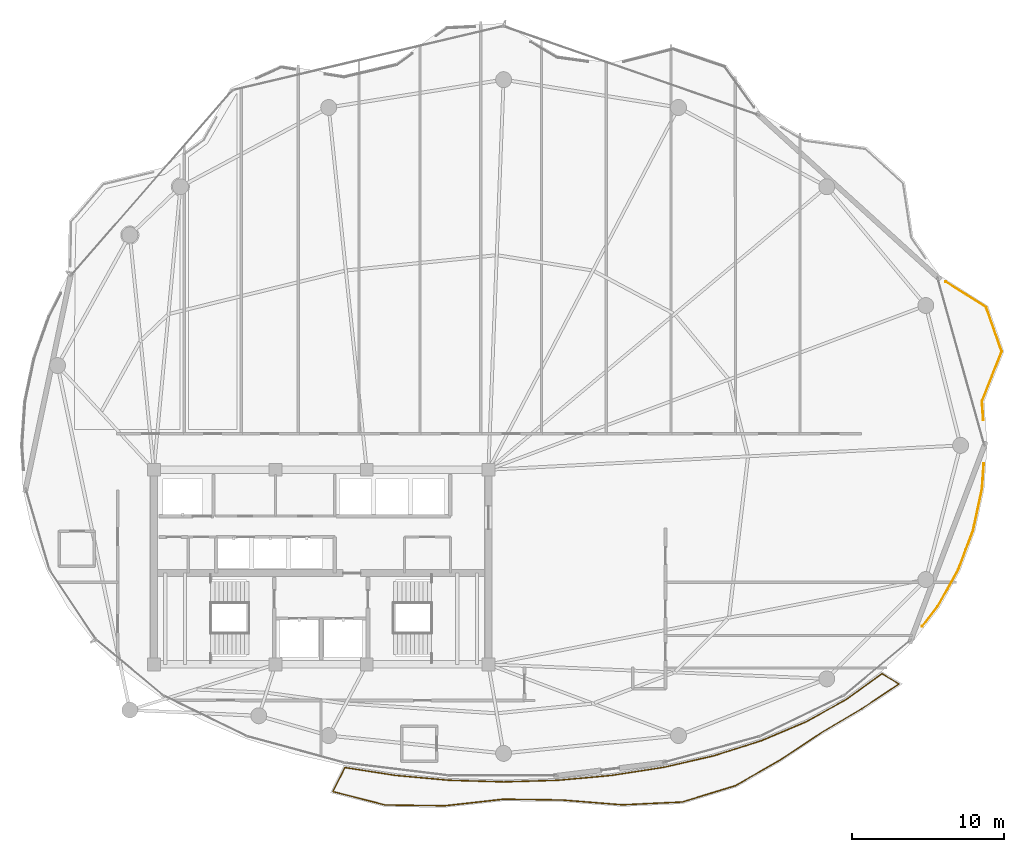
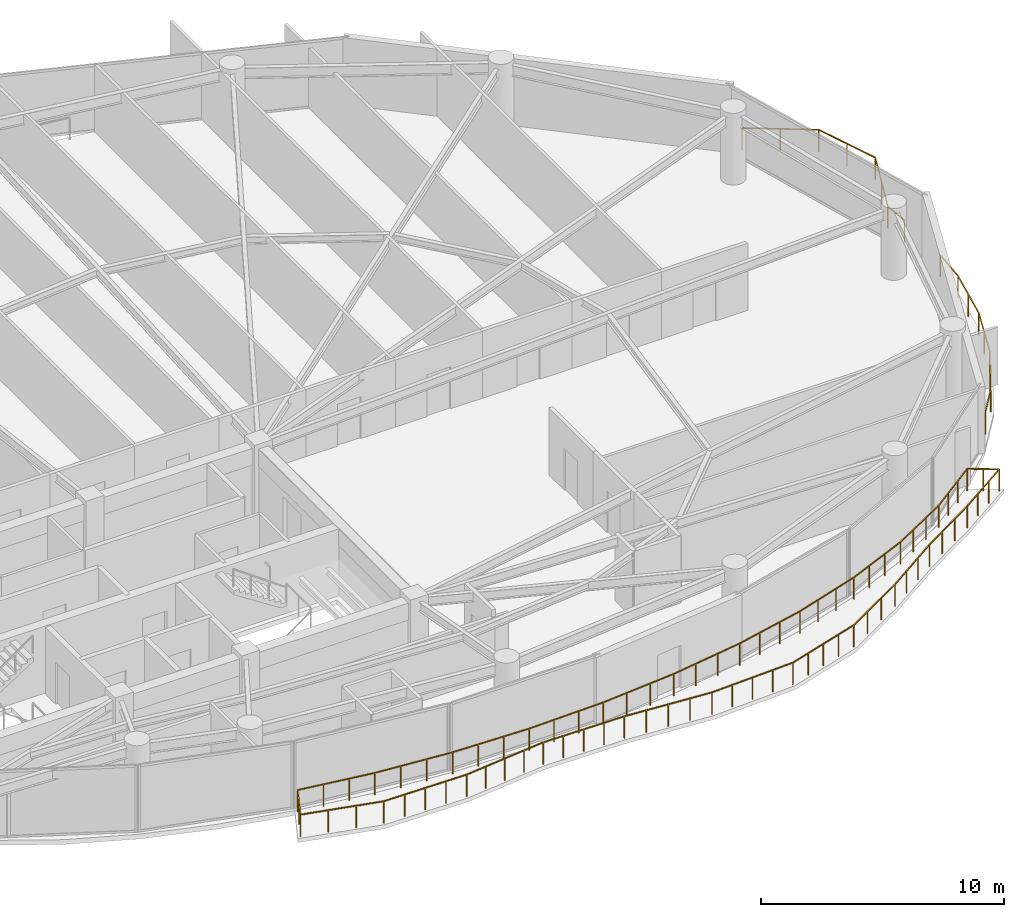
# One storey, part 28 of 29: 3 railings.
"""IFC4 building model written with IfcOpenShell, lengths in metres."""

from ifc_helpers import new_model, si_unit, direction, frame, origin, origin_2d, place, context, subcontext, project, spatial, rectangle, extrude, material, type_object, element, save


model = new_model("IFC4")

# Units and contexts
model_context = context("Model", 3, precision=1e-05, world=origin(), true_north=direction((0.0, 1.0)))
body_context = subcontext(model_context, "Body", "Model", "MODEL_VIEW")
ifc_project = project(units=[si_unit("LENGTHUNIT", "METRE"), si_unit("AREAUNIT", "SQUARE_METRE"), si_unit("VOLUMEUNIT", "CUBIC_METRE"), si_unit("PLANEANGLEUNIT", "RADIAN"), si_unit("MASSUNIT", "GRAM", prefix="KILO")], contexts=[model_context])

# Site, building, storey
site_placement = place(None, origin())
site = spatial("IfcSite", under=ifc_project, at=site_placement, CompositionType="ELEMENT")
building_placement = place(site_placement, origin())
building = spatial("IfcBuilding", under=site, at=building_placement, Name="Kazevale Care Tower and Concert Hall", CompositionType="ELEMENT")
storey_placement = place(building_placement, frame((0.0, 0.0, 195.60009765625)))
storey = spatial("IfcBuildingStorey", under=building, at=storey_placement, Name="L51", CompositionType="ELEMENT", Elevation=195.60009765625)

# Railings
ifc_material = material(Name="Anodised Bronze Aluminium and Laminated Glass", Category="aluminium")
railing_type = type_object("IfcRailingType", Name="Balcony and Terrace Balustrade 1120", PredefinedType="BALUSTRADE", material=ifc_material)
railing_1_placement = place(storey_placement, frame((76.576904296875, 36.81103515625, 0.0)))
element("IfcRailing", 1, at=railing_1_placement, inside=storey, type_object=railing_type, Name="rail:L51:perim:10", PredefinedType="BALUSTRADE", context=body_context, shape_type="SweptSolid", body=[
    extrude(rectangle(XDim=0.048095703125, YDim=0.048095703125, at=origin_2d()), frame((0.0, 0.0, 1.09619140625), z_axis=(-0.069683140934, -0.997569175481, 0.0), x_axis=(0.997569175481, -0.069683140934, 0.0)), (0.0, 0.0, 1.0), 1.664306640625),
    extrude(rectangle(XDim=0.048095703125, YDim=0.048095703125, at=origin_2d()), frame((-0.115966796875, -1.66015625, 1.09619140625), z_axis=(-0.210886672564, -0.97751051725, 0.0), x_axis=(0.97751051725, -0.210886672564, 0.0)), (0.0, 0.0, 1.0), 2.81201171875),
    extrude(rectangle(XDim=0.048095703125, YDim=0.048095703125, at=origin_2d()), frame((-0.708984375, -4.408935546875, 1.09619140625), z_axis=(-0.352914941795, -0.935655408715, 0.0), x_axis=(0.935655408715, -0.352914941795, 0.0)), (0.0, 0.0, 1.0), 2.77685546875),
    extrude(rectangle(XDim=0.048095703125, YDim=0.048095703125, at=origin_2d()), frame((-1.68896484375, -7.007080078125, 1.09619140625), z_axis=(-0.490131162051, -0.871648692987, 0.0), x_axis=(0.871648692987, -0.490131162051, 0.0)), (0.0, 0.0, 1.0), 2.762451171875),
    extrude(rectangle(XDim=0.048095703125, YDim=0.048095703125, at=origin_2d()), frame((-3.04296875, -9.4150390625, 1.09619140625), z_axis=(-0.615507243123, -0.788131228707, 0.0), x_axis=(0.788131228707, -0.615507243123, 0.0)), (0.0, 0.0, 1.0), 1.6279296875),
    extrude(rectangle(XDim=0.0419921875, YDim=0.0419921875, at=origin_2d()), origin(), (0.0, 0.0, 1.0), 1.072021484375),
    extrude(rectangle(XDim=0.0419921875, YDim=0.0419921875, at=origin_2d()), frame((-0.115966796875, -1.66015625, 0.0)), (0.0, 0.0, 1.0), 1.072021484375),
    extrude(rectangle(XDim=0.0419921875, YDim=0.0419921875, at=origin_2d()), frame((-0.41259765625, -3.03466796875, 0.0)), (0.0, 0.0, 1.0), 1.072021484375),
    extrude(rectangle(XDim=0.0419921875, YDim=0.0419921875, at=origin_2d()), frame((-0.708984375, -4.408935546875, 0.0)), (0.0, 0.0, 1.0), 1.072021484375),
    extrude(rectangle(XDim=0.0419921875, YDim=0.0419921875, at=origin_2d()), frame((-1.198974609375, -5.7080078125, 0.0)), (0.0, 0.0, 1.0), 1.072021484375),
    extrude(rectangle(XDim=0.0419921875, YDim=0.0419921875, at=origin_2d()), frame((-1.68896484375, -7.007080078125, 0.0)), (0.0, 0.0, 1.0), 1.072021484375),
    extrude(rectangle(XDim=0.0419921875, YDim=0.0419921875, at=origin_2d()), frame((-2.365966796875, -8.2109375, 0.0)), (0.0, 0.0, 1.0), 1.072021484375),
    extrude(rectangle(XDim=0.0419921875, YDim=0.0419921875, at=origin_2d()), frame((-3.04296875, -9.4150390625, 0.0)), (0.0, 0.0, 1.0), 1.072021484375),
    extrude(rectangle(XDim=0.0419921875, YDim=0.0419921875, at=origin_2d()), frame((-4.044921875, -10.697998046875, 0.0)), (0.0, 0.0, 1.0), 1.072021484375),
])
railing_2_placement = place(storey_placement, frame((74.073974609375, 48.760009765625, 0.0)))
element("IfcRailing", 2, at=railing_2_placement, inside=storey, type_object=railing_type, Name="rail:L51:perim:11", PredefinedType="BALUSTRADE", context=body_context, shape_type="SweptSolid", body=[
    extrude(rectangle(XDim=0.048095703125, YDim=0.048095703125, at=origin_2d()), frame((0.0, 0.0, 1.09619140625), z_axis=(0.845028885188, -0.534720659034, 0.0), x_axis=(0.534720659034, 0.845028885188, 0.0)), (0.0, 0.0, 1.0), 3.155029296875),
    extrude(rectangle(XDim=0.048095703125, YDim=0.048095703125, at=origin_2d()), frame((2.666015625, -1.68701171875, 1.09619140625), z_axis=(0.330541862018, -0.943791331521, 0.0), x_axis=(0.943791331521, 0.330541862018, 0.0)), (0.0, 0.0, 1.0), 3.0673828125),
    extrude(rectangle(XDim=0.048095703125, YDim=0.048095703125, at=origin_2d()), frame((3.679931640625, -4.58203125, 1.09619140625), z_axis=(-0.368706440166, -0.929545889658, 0.0), x_axis=(0.929545889658, -0.368706440166, 0.0)), (0.0, 0.0, 1.0), 3.5146484375),
    extrude(rectangle(XDim=0.048095703125, YDim=0.048095703125, at=origin_2d()), frame((2.384033203125, -7.84912109375, 1.09619140625), z_axis=(0.069088253147, -0.997610551907, 0.0), x_axis=(0.997610551907, 0.069088253147, 0.0)), (0.0, 0.0, 1.0), 1.229736328125),
    extrude(rectangle(XDim=0.0419921875, YDim=0.0419921875, at=origin_2d()), origin(), (0.0, 0.0, 1.0), 1.072021484375),
    extrude(rectangle(XDim=0.0419921875, YDim=0.0419921875, at=origin_2d()), frame((1.3330078125, -0.843505859375, 0.0)), (0.0, 0.0, 1.0), 1.072021484375),
    extrude(rectangle(XDim=0.0419921875, YDim=0.0419921875, at=origin_2d()), frame((2.666015625, -1.68701171875, 0.0)), (0.0, 0.0, 1.0), 1.072021484375),
    extrude(rectangle(XDim=0.0419921875, YDim=0.0419921875, at=origin_2d()), frame((3.1728515625, -3.134521484375, 0.0)), (0.0, 0.0, 1.0), 1.072021484375),
    extrude(rectangle(XDim=0.0419921875, YDim=0.0419921875, at=origin_2d()), frame((3.679931640625, -4.58203125, 0.0)), (0.0, 0.0, 1.0), 1.072021484375),
    extrude(rectangle(XDim=0.0419921875, YDim=0.0419921875, at=origin_2d()), frame((3.031982421875, -6.215576171875, 0.0)), (0.0, 0.0, 1.0), 1.072021484375),
    extrude(rectangle(XDim=0.0419921875, YDim=0.0419921875, at=origin_2d()), frame((2.384033203125, -7.84912109375, 0.0)), (0.0, 0.0, 1.0), 1.072021484375),
    extrude(rectangle(XDim=0.0419921875, YDim=0.0419921875, at=origin_2d()), frame((2.468994140625, -9.075927734375, 0.0)), (0.0, 0.0, 1.0), 1.072021484375),
])
railing_3_placement = place(storey_placement, frame((34.56298828125, 16.819091796875, 0.0)))
element("IfcRailing", 3, at=railing_3_placement, inside=storey, type_object=railing_type, Name="rail:L51:balcony", PredefinedType="BALUSTRADE", context=body_context, shape_type="SweptSolid", body=[
    extrude(rectangle(XDim=0.048095703125, YDim=0.048095703125, at=origin_2d()), frame((0.0, 0.0, 1.09619140625), z_axis=(0.988093340761, -0.15385561395, 0.0), x_axis=(0.15385561395, 0.988093340761, 0.0)), (0.0, 0.0, 1.0), 3.38623046875),
    extrude(rectangle(XDim=0.048095703125, YDim=0.048095703125, at=origin_2d()), frame((3.345947265625, -0.52099609375, 1.09619140625), z_axis=(0.995947899496, -0.089932093766, 0.0), x_axis=(0.089932093766, 0.995947899496, 0.0)), (0.0, 0.0, 1.0), 3.537353515625),
    extrude(rectangle(XDim=0.048095703125, YDim=0.048095703125, at=origin_2d()), frame((6.868896484375, -0.839111328125, 1.09619140625), z_axis=(0.999567458851, -0.029409100739, 0.0), x_axis=(0.029409100739, 0.999567458851, 0.0)), (0.0, 0.0, 1.0), 3.569580078125),
    extrude(rectangle(XDim=0.048095703125, YDim=0.048095703125, at=origin_2d()), frame((10.43701171875, -0.944091796875, 1.09619140625), z_axis=(0.999567458851, 0.029409100739, 0.0), x_axis=(-0.029409100739, 0.999567458851, 0.0)), (0.0, 0.0, 1.0), 3.569580078125),
    extrude(rectangle(XDim=0.048095703125, YDim=0.048095703125, at=origin_2d()), frame((14.005126953125, -0.839111328125, 1.09619140625), z_axis=(0.995947899496, 0.089932093766, 0.0), x_axis=(-0.089932093766, 0.995947899496, 0.0)), (0.0, 0.0, 1.0), 3.537353515625),
    extrude(rectangle(XDim=0.048095703125, YDim=0.048095703125, at=origin_2d()), frame((17.528076171875, -0.52099609375, 1.09619140625), z_axis=(0.988098216207, 0.153824299539, 0.0), x_axis=(-0.153824299539, 0.988098216207, 0.0)), (0.0, 0.0, 1.0), 3.4775390625),
    extrude(rectangle(XDim=0.048095703125, YDim=0.048095703125, at=origin_2d()), frame((20.964111328125, 0.013916015625, 1.09619140625), z_axis=(0.974534254558, 0.224238682418, 0.0), x_axis=(-0.224238682418, 0.974534254558, 0.0)), (0.0, 0.0, 1.0), 3.389404296875),
    extrude(rectangle(XDim=0.048095703125, YDim=0.048095703125, at=origin_2d()), frame((24.26708984375, 0.77392578125, 1.09619140625), z_axis=(0.953239514235, 0.302215864078, 0.0), x_axis=(-0.302215864078, 0.953239514235, 0.0)), (0.0, 0.0, 1.0), 3.285400390625),
    extrude(rectangle(XDim=0.048095703125, YDim=0.048095703125, at=origin_2d()), frame((27.39892578125, 1.766845703125, 1.09619140625), z_axis=(0.921006567992, 0.389547046858, 0.0), x_axis=(-0.389547046858, 0.921006567992, 0.0)), (0.0, 0.0, 1.0), 3.170654296875),
    extrude(rectangle(XDim=0.048095703125, YDim=0.048095703125, at=origin_2d()), frame((30.319091796875, 3.001953125, 1.09619140625), z_axis=(0.874149737903, 0.485656499724, 0.0), x_axis=(-0.485656499724, 0.874149737903, 0.0)), (0.0, 0.0, 1.0), 3.055419921875),
    extrude(rectangle(XDim=0.048095703125, YDim=0.048095703125, at=origin_2d()), frame((32.989990234375, 4.48583984375, 1.09619140625), z_axis=(0.809111467971, 0.587655198562, 0.0), x_axis=(-0.587655198562, 0.809111467971, 0.0)), (0.0, 0.0, 1.0), 2.867431640625),
    extrude(rectangle(XDim=0.048095703125, YDim=0.048095703125, at=origin_2d()), frame((35.31005859375, 6.1708984375, 1.09619140625), z_axis=(0.85837065212, -0.513030041596, 0.0), x_axis=(0.513030041596, 0.85837065212, 0.0)), (0.0, 0.0, 1.0), 1.323486328125),
    extrude(rectangle(XDim=0.048095703125, YDim=0.048095703125, at=origin_2d()), frame((36.446044921875, 5.491943359375, 1.09619140625), z_axis=(-0.833840377329, -0.552005638682, 0.0), x_axis=(0.552005638682, -0.833840377329, 0.0)), (0.0, 0.0, 1.0), 2.951416015625),
    extrude(rectangle(XDim=0.048095703125, YDim=0.048095703125, at=origin_2d()), frame((33.985107421875, 3.86279296875, 1.09619140625), z_axis=(-0.860284016512, -0.509815075232, 0.0), x_axis=(0.509815075232, -0.860284016512, 0.0)), (0.0, 0.0, 1.0), 3.165283203125),
    extrude(rectangle(XDim=0.048095703125, YDim=0.048095703125, at=origin_2d()), frame((31.261962890625, 2.2490234375, 1.09619140625), z_axis=(-0.833321293744, -0.552788948328, 0.0), x_axis=(0.552788948328, -0.833321293744, 0.0)), (0.0, 0.0, 1.0), 3.18603515625),
    extrude(rectangle(XDim=0.048095703125, YDim=0.048095703125, at=origin_2d()), frame((28.60693359375, 0.48779296875, 1.09619140625), z_axis=(-0.867230531376, -0.497906824063, 0.0), x_axis=(0.497906824063, -0.867230531376, 0.0)), (0.0, 0.0, 1.0), 3.3740234375),
    extrude(rectangle(XDim=0.048095703125, YDim=0.048095703125, at=origin_2d()), frame((25.680908203125, -1.192138671875, 1.09619140625), z_axis=(-0.955901401559, -0.293687777236, 0.0), x_axis=(0.293687777236, -0.955901401559, 0.0)), (0.0, 0.0, 1.0), 3.66357421875),
    extrude(rectangle(XDim=0.048095703125, YDim=0.048095703125, at=origin_2d()), frame((22.178955078125, -2.26806640625, 1.09619140625), z_axis=(-0.998916351965, -0.046541613383, 0.0), x_axis=(0.046541613383, -0.998916351965, 0.0)), (0.0, 0.0, 1.0), 3.955322265625),
    extrude(rectangle(XDim=0.048095703125, YDim=0.048095703125, at=origin_2d()), frame((18.22802734375, -2.4521484375, 1.09619140625), z_axis=(-0.996831030971, 0.079548071583, 0.0), x_axis=(-0.079548071583, -0.996831030971, 0.0)), (0.0, 0.0, 1.0), 3.98681640625),
    extrude(rectangle(XDim=0.048095703125, YDim=0.048095703125, at=origin_2d()), frame((14.25390625, -2.135009765625, 1.09619140625), z_axis=(-0.999903993889, 0.013856514891, 0.0), x_axis=(-0.013856514891, -0.999903993889, 0.0)), (0.0, 0.0, 1.0), 3.823486328125),
    extrude(rectangle(XDim=0.048095703125, YDim=0.048095703125, at=origin_2d()), frame((10.430908203125, -2.08203125, 1.09619140625), z_axis=(-0.99386002603, -0.110644695579, 0.0), x_axis=(0.110644695579, -0.99386002603, 0.0)), (0.0, 0.0, 1.0), 3.896728515625),
    extrude(rectangle(XDim=0.048095703125, YDim=0.048095703125, at=origin_2d()), frame((6.55810546875, -2.51318359375, 1.09619140625), z_axis=(-0.999920774707, 0.012587466382, 0.0), x_axis=(-0.012587466382, -0.999920774707, 0.0)), (0.0, 0.0, 1.0), 3.8984375),
    extrude(rectangle(XDim=0.048095703125, YDim=0.048095703125, at=origin_2d()), frame((2.659912109375, -2.464111328125, 1.09619140625), z_axis=(-0.968751374704, 0.24803381626, 0.0), x_axis=(-0.24803381626, -0.968751374704, 0.0)), (0.0, 0.0, 1.0), 3.560302734375),
    extrude(rectangle(XDim=0.048095703125, YDim=0.048095703125, at=origin_2d()), frame((-0.7890625, -1.5810546875, 1.09619140625), z_axis=(0.446550279081, 0.894758541872, 0.0), x_axis=(-0.894758541872, 0.446550279081, 0.0)), (0.0, 0.0, 1.0), 1.76708984375),
    extrude(rectangle(XDim=0.0419921875, YDim=0.0419921875, at=origin_2d()), origin(), (0.0, 0.0, 1.0), 1.072021484375),
    extrude(rectangle(XDim=0.0419921875, YDim=0.0419921875, at=origin_2d()), frame((1.115234375, -0.173583984375, 0.0)), (0.0, 0.0, 1.0), 1.072021484375),
    extrude(rectangle(XDim=0.0419921875, YDim=0.0419921875, at=origin_2d()), frame((2.230712890625, -0.347412109375, 0.0)), (0.0, 0.0, 1.0), 1.072021484375),
    extrude(rectangle(XDim=0.0419921875, YDim=0.0419921875, at=origin_2d()), frame((3.345947265625, -0.52099609375, 0.0)), (0.0, 0.0, 1.0), 1.072021484375),
    extrude(rectangle(XDim=0.0419921875, YDim=0.0419921875, at=origin_2d()), frame((4.520263671875, -0.626953125, 0.0)), (0.0, 0.0, 1.0), 1.072021484375),
    extrude(rectangle(XDim=0.0419921875, YDim=0.0419921875, at=origin_2d()), frame((5.694580078125, -0.733154296875, 0.0)), (0.0, 0.0, 1.0), 1.072021484375),
    extrude(rectangle(XDim=0.0419921875, YDim=0.0419921875, at=origin_2d()), frame((6.868896484375, -0.839111328125, 0.0)), (0.0, 0.0, 1.0), 1.072021484375),
    extrude(rectangle(XDim=0.0419921875, YDim=0.0419921875, at=origin_2d()), frame((8.058349609375, -0.8740234375, 0.0)), (0.0, 0.0, 1.0), 1.072021484375),
    extrude(rectangle(XDim=0.0419921875, YDim=0.0419921875, at=origin_2d()), frame((9.24755859375, -0.9091796875, 0.0)), (0.0, 0.0, 1.0), 1.072021484375),
    extrude(rectangle(XDim=0.0419921875, YDim=0.0419921875, at=origin_2d()), frame((10.43701171875, -0.944091796875, 0.0)), (0.0, 0.0, 1.0), 1.072021484375),
    extrude(rectangle(XDim=0.0419921875, YDim=0.0419921875, at=origin_2d()), frame((11.62646484375, -0.9091796875, 0.0)), (0.0, 0.0, 1.0), 1.072021484375),
    extrude(rectangle(XDim=0.0419921875, YDim=0.0419921875, at=origin_2d()), frame((12.815673828125, -0.8740234375, 0.0)), (0.0, 0.0, 1.0), 1.072021484375),
    extrude(rectangle(XDim=0.0419921875, YDim=0.0419921875, at=origin_2d()), frame((14.005126953125, -0.839111328125, 0.0)), (0.0, 0.0, 1.0), 1.072021484375),
    extrude(rectangle(XDim=0.0419921875, YDim=0.0419921875, at=origin_2d()), frame((15.179443359375, -0.733154296875, 0.0)), (0.0, 0.0, 1.0), 1.072021484375),
    extrude(rectangle(XDim=0.0419921875, YDim=0.0419921875, at=origin_2d()), frame((16.353759765625, -0.626953125, 0.0)), (0.0, 0.0, 1.0), 1.072021484375),
    extrude(rectangle(XDim=0.0419921875, YDim=0.0419921875, at=origin_2d()), frame((17.528076171875, -0.52099609375, 0.0)), (0.0, 0.0, 1.0), 1.072021484375),
    extrude(rectangle(XDim=0.0419921875, YDim=0.0419921875, at=origin_2d()), frame((18.67333984375, -0.3427734375, 0.0)), (0.0, 0.0, 1.0), 1.072021484375),
    extrude(rectangle(XDim=0.0419921875, YDim=0.0419921875, at=origin_2d()), frame((19.81884765625, -0.164306640625, 0.0)), (0.0, 0.0, 1.0), 1.072021484375),
    extrude(rectangle(XDim=0.0419921875, YDim=0.0419921875, at=origin_2d()), frame((20.964111328125, 0.013916015625, 0.0)), (0.0, 0.0, 1.0), 1.072021484375),
    extrude(rectangle(XDim=0.0419921875, YDim=0.0419921875, at=origin_2d()), frame((22.065185546875, 0.267333984375, 0.0)), (0.0, 0.0, 1.0), 1.072021484375),
    extrude(rectangle(XDim=0.0419921875, YDim=0.0419921875, at=origin_2d()), frame((23.166015625, 0.5205078125, 0.0)), (0.0, 0.0, 1.0), 1.072021484375),
    extrude(rectangle(XDim=0.0419921875, YDim=0.0419921875, at=origin_2d()), frame((24.26708984375, 0.77392578125, 0.0)), (0.0, 0.0, 1.0), 1.072021484375),
    extrude(rectangle(XDim=0.0419921875, YDim=0.0419921875, at=origin_2d()), frame((25.31103515625, 1.10498046875, 0.0)), (0.0, 0.0, 1.0), 1.072021484375),
    extrude(rectangle(XDim=0.0419921875, YDim=0.0419921875, at=origin_2d()), frame((26.35498046875, 1.435791015625, 0.0)), (0.0, 0.0, 1.0), 1.072021484375),
    extrude(rectangle(XDim=0.0419921875, YDim=0.0419921875, at=origin_2d()), frame((27.39892578125, 1.766845703125, 0.0)), (0.0, 0.0, 1.0), 1.072021484375),
    extrude(rectangle(XDim=0.0419921875, YDim=0.0419921875, at=origin_2d()), frame((28.372314453125, 2.178466796875, 0.0)), (0.0, 0.0, 1.0), 1.072021484375),
    extrude(rectangle(XDim=0.0419921875, YDim=0.0419921875, at=origin_2d()), frame((29.345703125, 2.59033203125, 0.0)), (0.0, 0.0, 1.0), 1.072021484375),
    extrude(rectangle(XDim=0.0419921875, YDim=0.0419921875, at=origin_2d()), frame((30.319091796875, 3.001953125, 0.0)), (0.0, 0.0, 1.0), 1.072021484375),
    extrude(rectangle(XDim=0.0419921875, YDim=0.0419921875, at=origin_2d()), frame((31.20947265625, 3.49658203125, 0.0)), (0.0, 0.0, 1.0), 1.072021484375),
    extrude(rectangle(XDim=0.0419921875, YDim=0.0419921875, at=origin_2d()), frame((32.099609375, 3.9912109375, 0.0)), (0.0, 0.0, 1.0), 1.072021484375),
    extrude(rectangle(XDim=0.0419921875, YDim=0.0419921875, at=origin_2d()), frame((32.989990234375, 4.48583984375, 0.0)), (0.0, 0.0, 1.0), 1.072021484375),
    extrude(rectangle(XDim=0.0419921875, YDim=0.0419921875, at=origin_2d()), frame((33.763427734375, 5.047607421875, 0.0)), (0.0, 0.0, 1.0), 1.072021484375),
    extrude(rectangle(XDim=0.0419921875, YDim=0.0419921875, at=origin_2d()), frame((34.53662109375, 5.609130859375, 0.0)), (0.0, 0.0, 1.0), 1.072021484375),
    extrude(rectangle(XDim=0.0419921875, YDim=0.0419921875, at=origin_2d()), frame((35.31005859375, 6.1708984375, 0.0)), (0.0, 0.0, 1.0), 1.072021484375),
    extrude(rectangle(XDim=0.0419921875, YDim=0.0419921875, at=origin_2d()), frame((35.8779296875, 5.83154296875, 0.0)), (0.0, 0.0, 1.0), 1.072021484375),
    extrude(rectangle(XDim=0.0419921875, YDim=0.0419921875, at=origin_2d()), frame((36.446044921875, 5.491943359375, 0.0)), (0.0, 0.0, 1.0), 1.072021484375),
    extrude(rectangle(XDim=0.0419921875, YDim=0.0419921875, at=origin_2d()), frame((35.625732421875, 4.948974609375, 0.0)), (0.0, 0.0, 1.0), 1.072021484375),
    extrude(rectangle(XDim=0.0419921875, YDim=0.0419921875, at=origin_2d()), frame((34.805419921875, 4.40576171875, 0.0)), (0.0, 0.0, 1.0), 1.072021484375),
    extrude(rectangle(XDim=0.0419921875, YDim=0.0419921875, at=origin_2d()), frame((33.985107421875, 3.86279296875, 0.0)), (0.0, 0.0, 1.0), 1.072021484375),
    extrude(rectangle(XDim=0.0419921875, YDim=0.0419921875, at=origin_2d()), frame((33.077392578125, 3.324951171875, 0.0)), (0.0, 0.0, 1.0), 1.072021484375),
    extrude(rectangle(XDim=0.0419921875, YDim=0.0419921875, at=origin_2d()), frame((32.169677734375, 2.786865234375, 0.0)), (0.0, 0.0, 1.0), 1.072021484375),
    extrude(rectangle(XDim=0.0419921875, YDim=0.0419921875, at=origin_2d()), frame((31.261962890625, 2.2490234375, 0.0)), (0.0, 0.0, 1.0), 1.072021484375),
    extrude(rectangle(XDim=0.0419921875, YDim=0.0419921875, at=origin_2d()), frame((30.376953125, 1.661865234375, 0.0)), (0.0, 0.0, 1.0), 1.072021484375),
    extrude(rectangle(XDim=0.0419921875, YDim=0.0419921875, at=origin_2d()), frame((29.491943359375, 1.074951171875, 0.0)), (0.0, 0.0, 1.0), 1.072021484375),
    extrude(rectangle(XDim=0.0419921875, YDim=0.0419921875, at=origin_2d()), frame((28.60693359375, 0.48779296875, 0.0)), (0.0, 0.0, 1.0), 1.072021484375),
    extrude(rectangle(XDim=0.0419921875, YDim=0.0419921875, at=origin_2d()), frame((27.631591796875, -0.072265625, 0.0)), (0.0, 0.0, 1.0), 1.072021484375),
    extrude(rectangle(XDim=0.0419921875, YDim=0.0419921875, at=origin_2d()), frame((26.65625, -0.632080078125, 0.0)), (0.0, 0.0, 1.0), 1.072021484375),
    extrude(rectangle(XDim=0.0419921875, YDim=0.0419921875, at=origin_2d()), frame((25.680908203125, -1.192138671875, 0.0)), (0.0, 0.0, 1.0), 1.072021484375),
    extrude(rectangle(XDim=0.0419921875, YDim=0.0419921875, at=origin_2d()), frame((24.805419921875, -1.461181640625, 0.0)), (0.0, 0.0, 1.0), 1.072021484375),
    extrude(rectangle(XDim=0.0419921875, YDim=0.0419921875, at=origin_2d()), frame((23.929931640625, -1.72998046875, 0.0)), (0.0, 0.0, 1.0), 1.072021484375),
    extrude(rectangle(XDim=0.0419921875, YDim=0.0419921875, at=origin_2d()), frame((23.054443359375, -1.9990234375, 0.0)), (0.0, 0.0, 1.0), 1.072021484375),
    extrude(rectangle(XDim=0.0419921875, YDim=0.0419921875, at=origin_2d()), frame((22.178955078125, -2.26806640625, 0.0)), (0.0, 0.0, 1.0), 1.072021484375),
    extrude(rectangle(XDim=0.0419921875, YDim=0.0419921875, at=origin_2d()), frame((21.191162109375, -2.31396484375, 0.0)), (0.0, 0.0, 1.0), 1.072021484375),
    extrude(rectangle(XDim=0.0419921875, YDim=0.0419921875, at=origin_2d()), frame((20.20361328125, -2.360107421875, 0.0)), (0.0, 0.0, 1.0), 1.072021484375),
    extrude(rectangle(XDim=0.0419921875, YDim=0.0419921875, at=origin_2d()), frame((19.2158203125, -2.40625, 0.0)), (0.0, 0.0, 1.0), 1.072021484375),
    extrude(rectangle(XDim=0.0419921875, YDim=0.0419921875, at=origin_2d()), frame((18.22802734375, -2.4521484375, 0.0)), (0.0, 0.0, 1.0), 1.072021484375),
    extrude(rectangle(XDim=0.0419921875, YDim=0.0419921875, at=origin_2d()), frame((17.234375, -2.372802734375, 0.0)), (0.0, 0.0, 1.0), 1.072021484375),
    extrude(rectangle(XDim=0.0419921875, YDim=0.0419921875, at=origin_2d()), frame((16.240966796875, -2.29345703125, 0.0)), (0.0, 0.0, 1.0), 1.072021484375),
    extrude(rectangle(XDim=0.0419921875, YDim=0.0419921875, at=origin_2d()), frame((15.24755859375, -2.21435546875, 0.0)), (0.0, 0.0, 1.0), 1.072021484375),
    extrude(rectangle(XDim=0.0419921875, YDim=0.0419921875, at=origin_2d()), frame((14.25390625, -2.135009765625, 0.0)), (0.0, 0.0, 1.0), 1.072021484375),
    extrude(rectangle(XDim=0.0419921875, YDim=0.0419921875, at=origin_2d()), frame((13.298095703125, -2.121826171875, 0.0)), (0.0, 0.0, 1.0), 1.072021484375),
    extrude(rectangle(XDim=0.0419921875, YDim=0.0419921875, at=origin_2d()), frame((12.34228515625, -2.1083984375, 0.0)), (0.0, 0.0, 1.0), 1.072021484375),
    extrude(rectangle(XDim=0.0419921875, YDim=0.0419921875, at=origin_2d()), frame((11.38671875, -2.09521484375, 0.0)), (0.0, 0.0, 1.0), 1.072021484375),
    extrude(rectangle(XDim=0.0419921875, YDim=0.0419921875, at=origin_2d()), frame((10.430908203125, -2.08203125, 0.0)), (0.0, 0.0, 1.0), 1.072021484375),
    extrude(rectangle(XDim=0.0419921875, YDim=0.0419921875, at=origin_2d()), frame((9.462646484375, -2.18994140625, 0.0)), (0.0, 0.0, 1.0), 1.072021484375),
    extrude(rectangle(XDim=0.0419921875, YDim=0.0419921875, at=origin_2d()), frame((8.49462890625, -2.297607421875, 0.0)), (0.0, 0.0, 1.0), 1.072021484375),
    extrude(rectangle(XDim=0.0419921875, YDim=0.0419921875, at=origin_2d()), frame((7.5263671875, -2.4052734375, 0.0)), (0.0, 0.0, 1.0), 1.072021484375),
    extrude(rectangle(XDim=0.0419921875, YDim=0.0419921875, at=origin_2d()), frame((6.55810546875, -2.51318359375, 0.0)), (0.0, 0.0, 1.0), 1.072021484375),
    extrude(rectangle(XDim=0.0419921875, YDim=0.0419921875, at=origin_2d()), frame((5.58349609375, -2.5009765625, 0.0)), (0.0, 0.0, 1.0), 1.072021484375),
    extrude(rectangle(XDim=0.0419921875, YDim=0.0419921875, at=origin_2d()), frame((4.60888671875, -2.48876953125, 0.0)), (0.0, 0.0, 1.0), 1.072021484375),
    extrude(rectangle(XDim=0.0419921875, YDim=0.0419921875, at=origin_2d()), frame((3.634521484375, -2.476318359375, 0.0)), (0.0, 0.0, 1.0), 1.072021484375),
    extrude(rectangle(XDim=0.0419921875, YDim=0.0419921875, at=origin_2d()), frame((2.659912109375, -2.464111328125, 0.0)), (0.0, 0.0, 1.0), 1.072021484375),
    extrude(rectangle(XDim=0.0419921875, YDim=0.0419921875, at=origin_2d()), frame((1.51025390625, -2.169677734375, 0.0)), (0.0, 0.0, 1.0), 1.072021484375),
    extrude(rectangle(XDim=0.0419921875, YDim=0.0419921875, at=origin_2d()), frame((0.360595703125, -1.87548828125, 0.0)), (0.0, 0.0, 1.0), 1.072021484375),
    extrude(rectangle(XDim=0.0419921875, YDim=0.0419921875, at=origin_2d()), frame((-0.7890625, -1.5810546875, 0.0)), (0.0, 0.0, 1.0), 1.072021484375),
    extrude(rectangle(XDim=0.0419921875, YDim=0.0419921875, at=origin_2d()), frame((-0.39453125, -0.79052734375, 0.0)), (0.0, 0.0, 1.0), 1.072021484375),
])

save(model, "model.ifc")
